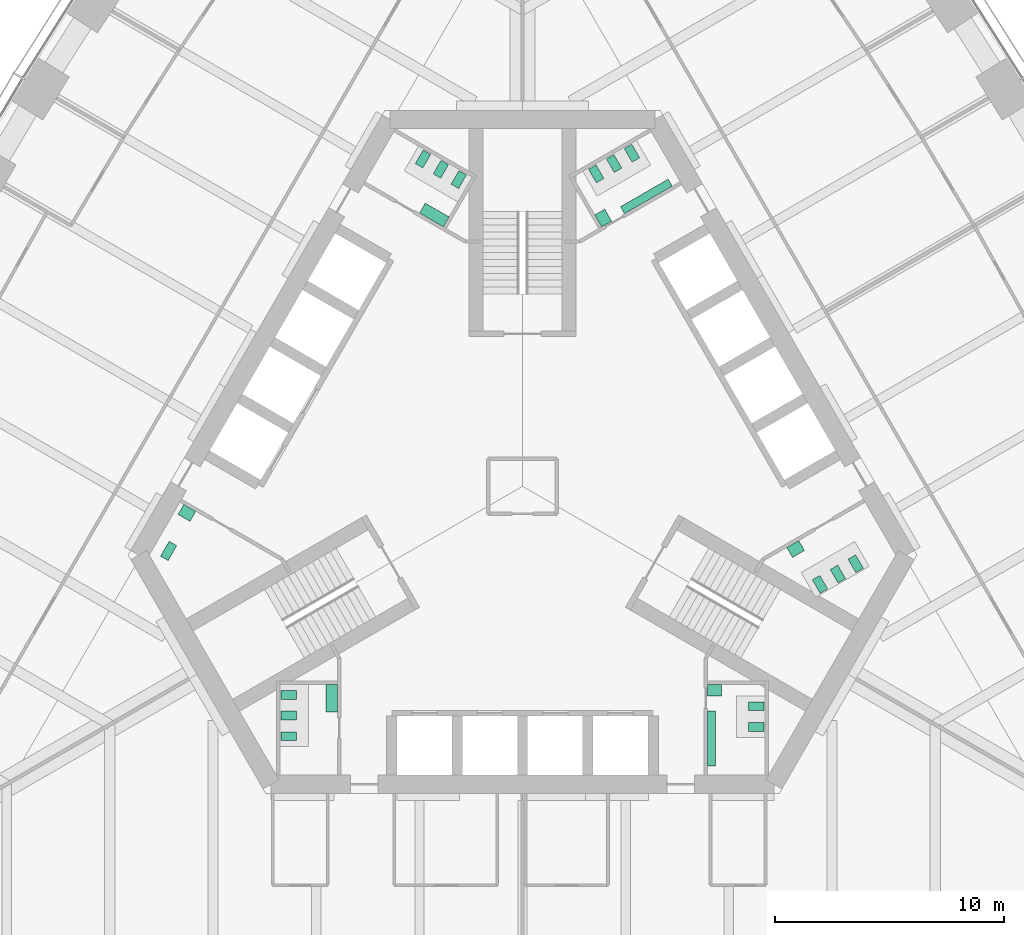
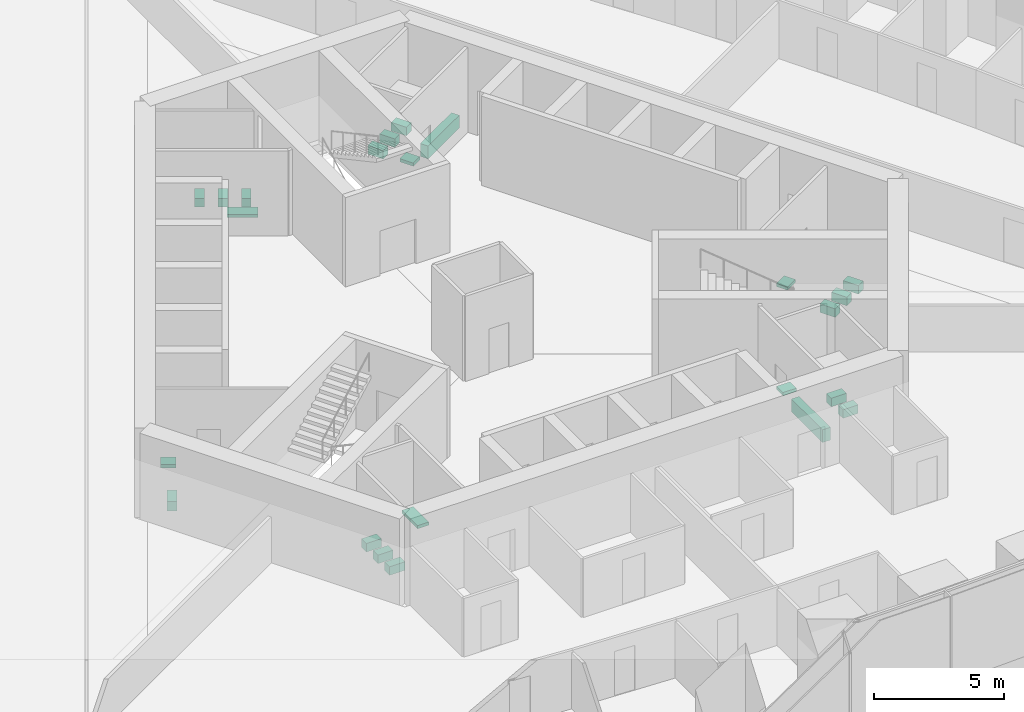
# One storey, part 17 of 18: 23 sanitary terminals.
"""IFC4 building model written with IfcOpenShell, lengths in metres."""

from ifc_helpers import new_model, si_unit, direction, frame, origin, place, context, subcontext, project, spatial, polyline, outline, extrude, material, type_object, element, save


model = new_model("IFC4")

# Units and contexts
model_context = context("Model", 3, precision=1e-05, world=origin(), true_north=direction((0.0, 1.0)))
body_context = subcontext(model_context, "Body", "Model", "MODEL_VIEW")
ifc_project = project(units=[si_unit("LENGTHUNIT", "METRE"), si_unit("AREAUNIT", "SQUARE_METRE"), si_unit("VOLUMEUNIT", "CUBIC_METRE"), si_unit("PLANEANGLEUNIT", "RADIAN"), si_unit("MASSUNIT", "GRAM", prefix="KILO")], contexts=[model_context])

# Site, building, storey
site_placement = place(None, origin())
site = spatial("IfcSite", under=ifc_project, at=site_placement, CompositionType="ELEMENT")
building_placement = place(site_placement, origin())
building = spatial("IfcBuilding", under=site, at=building_placement, Name="Trefoil Bronze Tower", CompositionType="ELEMENT")
storey_placement = place(building_placement, frame((0.0, 0.0, 75.300048828125)))
storey = spatial("IfcBuildingStorey", under=building, at=storey_placement, Name="L17", CompositionType="ELEMENT", Elevation=75.300048828125)

# Sanitary terminals
ifc_material_1 = material(Name="Vitreous china", Category="ceramic")
sanitary_terminal_type_1 = type_object("IfcSanitaryTerminalType", Name="Accessible WC pan", PredefinedType="TOILETPAN", material=ifc_material_1)
sanitary_terminal_1_placement = place(storey_placement, origin())
element("IfcSanitaryTerminal", 1, at=sanitary_terminal_1_placement, inside=storey, type_object=sanitary_terminal_type_1, Name="WC pan 1 Accessible WC L17", PredefinedType="TOILETPAN", context=body_context, shape_type="SweptSolid", body=[
    extrude(outline(polyline([(-15.085693359375, -2.589111328125), (-15.460693359375, -3.238525390625), (-15.789794921875, -3.048583984375), (-15.414794921875, -2.399169921875), (-15.085693359375, -2.589111328125)])), origin(), (0.0, 0.0, 1.0), 0.449951171875),
])
ifc_material_2 = material(Name="Vitreous china", Category="ceramic")
sanitary_terminal_type_2 = type_object("IfcSanitaryTerminalType", Name="Accessible basin", PredefinedType="WASHHANDBASIN", material=ifc_material_2)
sanitary_terminal_2_placement = place(storey_placement, frame((0.0, 0.0, 0.64990234375)))
element("IfcSanitaryTerminal", 2, at=sanitary_terminal_2_placement, inside=storey, type_object=sanitary_terminal_type_2, Name="Wash basin Accessible WC L17", PredefinedType="WASHHANDBASIN", context=body_context, shape_type="SweptSolid", body=[
    extrude(outline(polyline([(-14.256591796875, -1.09326171875), (-14.506591796875, -1.526123046875), (-15.026123046875, -1.22607421875), (-14.776123046875, -0.793212890625), (-14.256591796875, -1.09326171875)])), origin(), (0.0, 0.0, 1.0), 0.150146484375),
])
ifc_material_3 = material(Name="Vitreous china", Category="ceramic")
sanitary_terminal_type_3 = type_object("IfcSanitaryTerminalType", Name="Urinal range 4 urinals", PredefinedType="URINAL", material=ifc_material_3)
sanitary_terminal_3_placement = place(storey_placement, frame((0.0, 0.0, 0.39990234375)))
element("IfcSanitaryTerminal", 3, at=sanitary_terminal_3_placement, inside=storey, type_object=sanitary_terminal_type_3, Name="Urinal range WC (men) L17", PredefinedType="URINAL", context=body_context, shape_type="SweptSolid", body=[
    extrude(outline(polyline([(8.074951171875, -9.800048828125), (8.425048828125, -9.800048828125), (8.425048828125, -12.199951171875), (8.074951171875, -12.199951171875), (8.074951171875, -9.800048828125)])), origin(), (0.0, 0.0, 1.0), 0.60009765625),
])
sanitary_terminal_4_placement = place(storey_placement, frame((0.0, 0.0, 0.39990234375)))
element("IfcSanitaryTerminal", 4, at=sanitary_terminal_4_placement, inside=storey, type_object=sanitary_terminal_type_3, Name="Urinal range WC (men) L17", PredefinedType="URINAL", context=body_context, shape_type="SweptSolid", body=[
    extrude(outline(polyline([(4.449462890625, 11.89306640625), (4.274658203125, 12.1962890625), (6.35302734375, 13.396240234375), (6.528076171875, 13.09326171875), (4.449462890625, 11.89306640625)])), origin(), (0.0, 0.0, 1.0), 0.60009765625),
])
ifc_material_4 = material(Name="Solid surface vanity", Category="plastic")
sanitary_terminal_type_4 = type_object("IfcSanitaryTerminalType", Name="Vanity unit 1 basins", PredefinedType="WASHHANDBASIN", material=ifc_material_4)
sanitary_terminal_5_placement = place(storey_placement, frame((0.0, 0.0, 0.75)))
element("IfcSanitaryTerminal", 5, at=sanitary_terminal_5_placement, inside=storey, type_object=sanitary_terminal_type_4, Name="Vanity unit WC (men) L17", PredefinedType="WASHHANDBASIN", context=body_context, shape_type="SweptSolid", body=[
    extrude(outline(polyline([(8.074951171875, -8.64990234375), (8.675048828125, -8.64990234375), (8.675048828125, -9.14990234375), (8.074951171875, -9.14990234375), (8.074951171875, -8.64990234375)])), origin(), (0.0, 0.0, 1.0), 0.14990234375),
])
sanitary_terminal_6_placement = place(storey_placement, frame((0.0, 0.0, 0.75)))
element("IfcSanitaryTerminal", 6, at=sanitary_terminal_6_placement, inside=storey, type_object=sanitary_terminal_type_4, Name="Vanity unit WC (women) L17", PredefinedType="WASHHANDBASIN", context=body_context, shape_type="SweptSolid", body=[
    extrude(outline(polyline([(11.528564453125, -2.668212890625), (11.778564453125, -3.10107421875), (12.29833984375, -2.80126953125), (12.04833984375, -2.3681640625), (11.528564453125, -2.668212890625)])), origin(), (0.0, 0.0, 1.0), 0.14990234375),
])
sanitary_terminal_7_placement = place(storey_placement, frame((0.0, 0.0, 0.75)))
element("IfcSanitaryTerminal", 7, at=sanitary_terminal_7_placement, inside=storey, type_object=sanitary_terminal_type_4, Name="Vanity unit WC (men) L17", PredefinedType="WASHHANDBASIN", context=body_context, shape_type="SweptSolid", body=[
    extrude(outline(polyline([(3.45361328125, 11.318115234375), (3.153564453125, 11.837890625), (3.586669921875, 12.087890625), (3.88671875, 11.568115234375), (3.45361328125, 11.318115234375)])), origin(), (0.0, 0.0, 1.0), 0.14990234375),
])
ifc_material_5 = material(Name="Solid surface vanity", Category="plastic")
sanitary_terminal_type_5 = type_object("IfcSanitaryTerminalType", Name="Vanity unit 2 basins", PredefinedType="WASHHANDBASIN", material=ifc_material_5)
sanitary_terminal_8_placement = place(storey_placement, frame((0.0, 0.0, 0.75)))
element("IfcSanitaryTerminal", 8, at=sanitary_terminal_8_placement, inside=storey, type_object=sanitary_terminal_type_5, Name="Vanity unit WC (women) L17", PredefinedType="WASHHANDBASIN", context=body_context, shape_type="SweptSolid", body=[
    extrude(outline(polyline([(-3.45361328125, 11.318115234375), (-3.20361328125, 11.751220703125), (-4.242919921875, 12.35107421875), (-4.492919921875, 11.918212890625), (-3.45361328125, 11.318115234375)])), origin(), (0.0, 0.0, 1.0), 0.14990234375),
])
sanitary_terminal_9_placement = place(storey_placement, frame((0.0, 0.0, 0.75)))
element("IfcSanitaryTerminal", 9, at=sanitary_terminal_9_placement, inside=storey, type_object=sanitary_terminal_type_5, Name="Vanity unit WC (women) L17", PredefinedType="WASHHANDBASIN", context=body_context, shape_type="SweptSolid", body=[
    extrude(outline(polyline([(-8.074951171875, -8.64990234375), (-8.574951171875, -8.64990234375), (-8.574951171875, -9.85009765625), (-8.074951171875, -9.85009765625), (-8.074951171875, -8.64990234375)])), origin(), (0.0, 0.0, 1.0), 0.14990234375),
])
ifc_material_6 = material(Name="Vitreous china", Category="ceramic")
sanitary_terminal_type_6 = type_object("IfcSanitaryTerminalType", Name="WC pan", PredefinedType="TOILETPAN", material=ifc_material_6)
sanitary_terminal_10_placement = place(storey_placement, origin())
element("IfcSanitaryTerminal", 10, at=sanitary_terminal_10_placement, inside=storey, type_object=sanitary_terminal_type_6, Name="WC pan 1 WC (men) L17", PredefinedType="TOILETPAN", context=body_context, shape_type="SweptSolid", body=[
    extrude(outline(polyline([(9.85498046875, -9.409912109375), (10.534912109375, -9.409912109375), (10.534912109375, -9.7900390625), (9.85498046875, -9.7900390625), (9.85498046875, -9.409912109375)])), origin(), (0.0, 0.0, 1.0), 0.39990234375),
])
sanitary_terminal_11_placement = place(storey_placement, origin())
element("IfcSanitaryTerminal", 11, at=sanitary_terminal_11_placement, inside=storey, type_object=sanitary_terminal_type_6, Name="WC pan 2 WC (men) L17", PredefinedType="TOILETPAN", context=body_context, shape_type="SweptSolid", body=[
    extrude(outline(polyline([(9.85498046875, -10.31005859375), (10.534912109375, -10.31005859375), (10.534912109375, -10.68994140625), (9.85498046875, -10.68994140625), (9.85498046875, -10.31005859375)])), origin(), (0.0, 0.0, 1.0), 0.39990234375),
])
sanitary_terminal_12_placement = place(storey_placement, origin())
element("IfcSanitaryTerminal", 12, at=sanitary_terminal_12_placement, inside=storey, type_object=sanitary_terminal_type_6, Name="WC pan 1 WC (women) L17", PredefinedType="TOILETPAN", context=body_context, shape_type="SweptSolid", body=[
    extrude(outline(polyline([(12.643798828125, -4.07958984375), (12.98388671875, -4.66845703125), (13.31298828125, -4.478515625), (12.972900390625, -3.8896484375), (12.643798828125, -4.07958984375)])), origin(), (0.0, 0.0, 1.0), 0.39990234375),
])
sanitary_terminal_13_placement = place(storey_placement, origin())
element("IfcSanitaryTerminal", 13, at=sanitary_terminal_13_placement, inside=storey, type_object=sanitary_terminal_type_6, Name="WC pan 2 WC (women) L17", PredefinedType="TOILETPAN", context=body_context, shape_type="SweptSolid", body=[
    extrude(outline(polyline([(13.423095703125, -3.629638671875), (13.76318359375, -4.218505859375), (14.09228515625, -4.028564453125), (13.752197265625, -3.439697265625), (13.423095703125, -3.629638671875)])), origin(), (0.0, 0.0, 1.0), 0.39990234375),
])
sanitary_terminal_14_placement = place(storey_placement, origin())
element("IfcSanitaryTerminal", 14, at=sanitary_terminal_14_placement, inside=storey, type_object=sanitary_terminal_type_6, Name="WC pan 3 WC (women) L17", PredefinedType="TOILETPAN", context=body_context, shape_type="SweptSolid", body=[
    extrude(outline(polyline([(14.20263671875, -3.1796875), (14.542724609375, -3.7685546875), (14.871826171875, -3.57861328125), (14.53173828125, -2.98974609375), (14.20263671875, -3.1796875)])), origin(), (0.0, 0.0, 1.0), 0.39990234375),
])
sanitary_terminal_15_placement = place(storey_placement, origin())
element("IfcSanitaryTerminal", 15, at=sanitary_terminal_15_placement, inside=storey, type_object=sanitary_terminal_type_6, Name="WC pan 1 WC (men) L17", PredefinedType="TOILETPAN", context=body_context, shape_type="SweptSolid", body=[
    extrude(outline(polyline([(3.2216796875, 13.23974609375), (2.8818359375, 13.82861328125), (3.2109375, 14.0185546875), (3.55078125, 13.4296875), (3.2216796875, 13.23974609375)])), origin(), (0.0, 0.0, 1.0), 0.39990234375),
])
sanitary_terminal_16_placement = place(storey_placement, origin())
element("IfcSanitaryTerminal", 16, at=sanitary_terminal_16_placement, inside=storey, type_object=sanitary_terminal_type_6, Name="WC pan 2 WC (men) L17", PredefinedType="TOILETPAN", context=body_context, shape_type="SweptSolid", body=[
    extrude(outline(polyline([(4.001220703125, 13.689697265625), (3.6611328125, 14.278564453125), (3.990234375, 14.468505859375), (4.330322265625, 13.879638671875), (4.001220703125, 13.689697265625)])), origin(), (0.0, 0.0, 1.0), 0.39990234375),
])
sanitary_terminal_17_placement = place(storey_placement, origin())
element("IfcSanitaryTerminal", 17, at=sanitary_terminal_17_placement, inside=storey, type_object=sanitary_terminal_type_6, Name="WC pan 3 WC (men) L17", PredefinedType="TOILETPAN", context=body_context, shape_type="SweptSolid", body=[
    extrude(outline(polyline([(4.78076171875, 14.1396484375), (4.440673828125, 14.728515625), (4.769775390625, 14.91845703125), (5.109619140625, 14.32958984375), (4.78076171875, 14.1396484375)])), origin(), (0.0, 0.0, 1.0), 0.39990234375),
])
sanitary_terminal_18_placement = place(storey_placement, origin())
element("IfcSanitaryTerminal", 18, at=sanitary_terminal_18_placement, inside=storey, type_object=sanitary_terminal_type_6, Name="WC pan 1 WC (women) L17", PredefinedType="TOILETPAN", context=body_context, shape_type="SweptSolid", body=[
    extrude(outline(polyline([(-2.788818359375, 12.98974609375), (-2.44873046875, 13.57861328125), (-2.77783203125, 13.7685546875), (-3.117919921875, 13.1796875), (-2.788818359375, 12.98974609375)])), origin(), (0.0, 0.0, 1.0), 0.39990234375),
])
sanitary_terminal_19_placement = place(storey_placement, origin())
element("IfcSanitaryTerminal", 19, at=sanitary_terminal_19_placement, inside=storey, type_object=sanitary_terminal_type_6, Name="WC pan 2 WC (women) L17", PredefinedType="TOILETPAN", context=body_context, shape_type="SweptSolid", body=[
    extrude(outline(polyline([(-3.568115234375, 13.439697265625), (-3.228271484375, 14.028564453125), (-3.557373046875, 14.218505859375), (-3.897216796875, 13.629638671875), (-3.568115234375, 13.439697265625)])), origin(), (0.0, 0.0, 1.0), 0.39990234375),
])
sanitary_terminal_20_placement = place(storey_placement, origin())
element("IfcSanitaryTerminal", 20, at=sanitary_terminal_20_placement, inside=storey, type_object=sanitary_terminal_type_6, Name="WC pan 3 WC (women) L17", PredefinedType="TOILETPAN", context=body_context, shape_type="SweptSolid", body=[
    extrude(outline(polyline([(-4.34765625, 13.8896484375), (-4.007568359375, 14.478515625), (-4.336669921875, 14.66845703125), (-4.6767578125, 14.07958984375), (-4.34765625, 13.8896484375)])), origin(), (0.0, 0.0, 1.0), 0.39990234375),
])
sanitary_terminal_21_placement = place(storey_placement, origin())
element("IfcSanitaryTerminal", 21, at=sanitary_terminal_21_placement, inside=storey, type_object=sanitary_terminal_type_6, Name="WC pan 1 WC (women) L17", PredefinedType="TOILETPAN", context=body_context, shape_type="SweptSolid", body=[
    extrude(outline(polyline([(-9.85498046875, -8.909912109375), (-10.534912109375, -8.909912109375), (-10.534912109375, -9.2900390625), (-9.85498046875, -9.2900390625), (-9.85498046875, -8.909912109375)])), origin(), (0.0, 0.0, 1.0), 0.39990234375),
])
sanitary_terminal_22_placement = place(storey_placement, origin())
element("IfcSanitaryTerminal", 22, at=sanitary_terminal_22_placement, inside=storey, type_object=sanitary_terminal_type_6, Name="WC pan 2 WC (women) L17", PredefinedType="TOILETPAN", context=body_context, shape_type="SweptSolid", body=[
    extrude(outline(polyline([(-9.85498046875, -9.81005859375), (-10.534912109375, -9.81005859375), (-10.534912109375, -10.18994140625), (-9.85498046875, -10.18994140625), (-9.85498046875, -9.81005859375)])), origin(), (0.0, 0.0, 1.0), 0.39990234375),
])
sanitary_terminal_23_placement = place(storey_placement, origin())
element("IfcSanitaryTerminal", 23, at=sanitary_terminal_23_placement, inside=storey, type_object=sanitary_terminal_type_6, Name="WC pan 3 WC (women) L17", PredefinedType="TOILETPAN", context=body_context, shape_type="SweptSolid", body=[
    extrude(outline(polyline([(-9.85498046875, -10.7099609375), (-10.534912109375, -10.7099609375), (-10.534912109375, -11.090087890625), (-9.85498046875, -11.090087890625), (-9.85498046875, -10.7099609375)])), origin(), (0.0, 0.0, 1.0), 0.39990234375),
])

save(model, "model.ifc")
